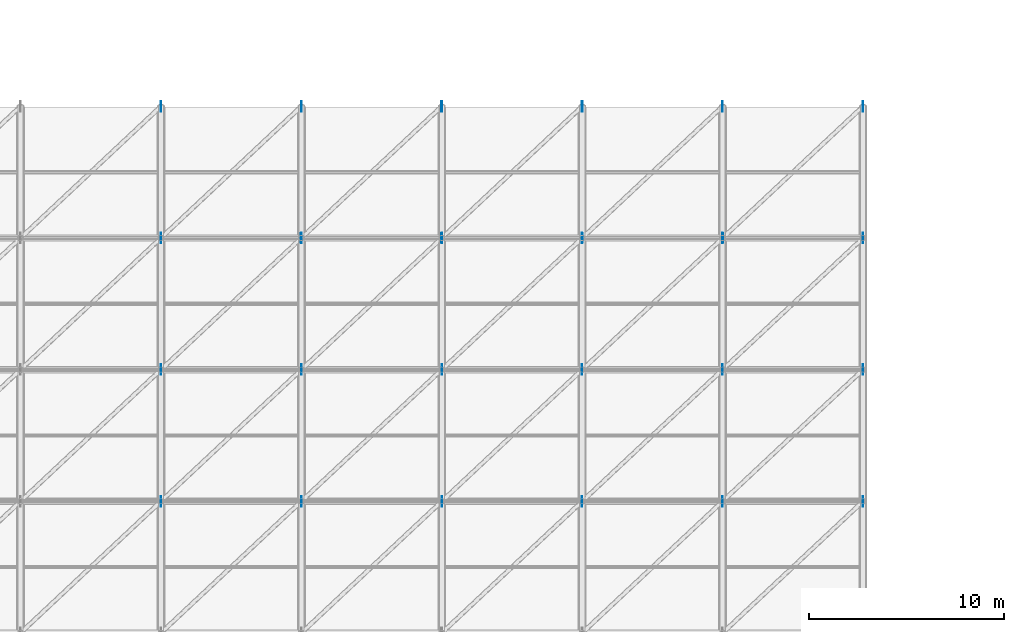
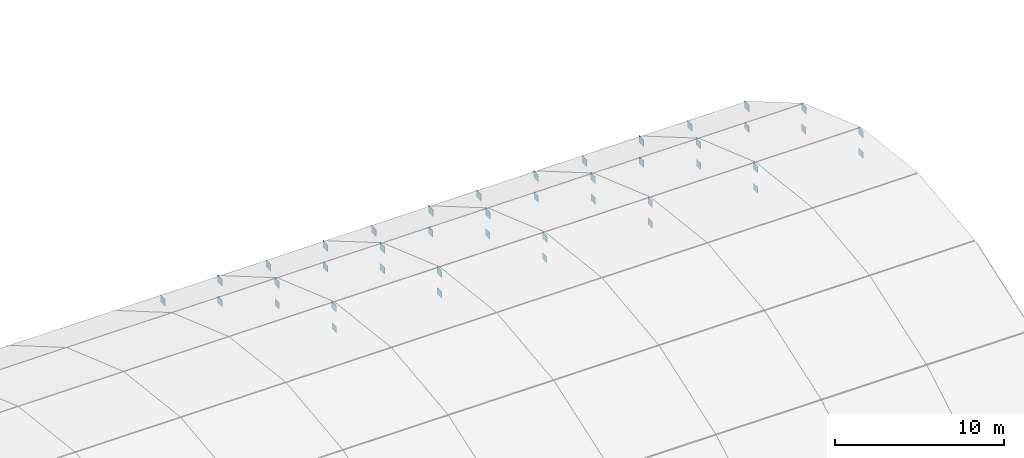
# One storey, part 63 of 72: 42 plates.
"""IFC4 building model written with IfcOpenShell, lengths in metres."""

from ifc_helpers import new_model, si_unit, direction, frame, origin, origin_2d, place, context, subcontext, project, spatial, rectangle, extrude, material, layer, layer_set, type_object, element, save


model = new_model("IFC4")

# Units and contexts
model_context = context("Model", 3, precision=1e-05, world=origin(), true_north=direction((0.0, 1.0)))
body_context = subcontext(model_context, "Body", "Model", "MODEL_VIEW")
ifc_project = project(units=[si_unit("LENGTHUNIT", "METRE"), si_unit("AREAUNIT", "SQUARE_METRE"), si_unit("VOLUMEUNIT", "CUBIC_METRE"), si_unit("PLANEANGLEUNIT", "RADIAN"), si_unit("MASSUNIT", "GRAM", prefix="KILO")], contexts=[model_context])

# Site, building, storey
site_placement = place(None, origin())
site = spatial("IfcSite", under=ifc_project, at=site_placement, CompositionType="ELEMENT")
building_placement = place(site_placement, origin())
building = spatial("IfcBuilding", under=site, at=building_placement, Name="Vaelcorin Mobility Hub", CompositionType="ELEMENT")
storey_placement = place(building_placement, frame((0.0, 0.0, 25.800048828125)))
storey = spatial("IfcBuildingStorey", under=building, at=storey_placement, Name="RF", CompositionType="ELEMENT", Elevation=25.800048828125)

# Plates
ifc_material = material(Name="Steel ASTM A572 Grade 50", Category="steel")
ifc_layer_1 = layer(ifc_material, 0.0400390625)
ifc_layer_set_1 = layer_set([ifc_layer_1], Name="Steel ASTM A572 Grade 50")
plate_type_1 = type_object("IfcPlateType", Name="PL-SN1", PredefinedType="USERDEFINED", material=ifc_layer_set_1)
for number, where, z_axis, x_axis, name in (
    (1, (72.0, 53.25, -16.01806640625), (0.0, 0.0, 1.0), (1.0, 0.0, 0.0), "Space-Frame Lower Node Gusset 6-7"),
    (2, (79.199951171875, 53.25, -16.01806640625), (0.0, 0.0, 1.0), (1.0, 0.0, 0.0), "Space-Frame Lower Node Gusset 7-7"),
    (3, (86.39990234375, 53.25, -16.01806640625), (0.0, 0.0, 1.0), (1.0, 0.0, 0.0), "Space-Frame Lower Node Gusset 8-7"),
    (4, (93.60009765625, 53.25, -16.01806640625), (0.0, 0.0, 1.0), (1.0, 0.0, 0.0), "Space-Frame Lower Node Gusset 9-7"),
    (5, (100.800048828125, 53.25, -16.01806640625), (0.0, 0.0, 1.0), (1.0, 0.0, 0.0), "Space-Frame Lower Node Gusset 10-7"),
    (6, (108.0, 53.25, -16.01806640625), (0.0, 0.0, 1.0), (1.0, 0.0, 0.0), "Space-Frame Lower Node Gusset 11-7"),
):
    element("IfcPlate", number, at=place(storey_placement, frame(where, z_axis=z_axis, x_axis=x_axis)), inside=storey, type_object=plate_type_1, Name=name, ObjectType="GUSSET PLATE", PredefinedType="USERDEFINED", context=body_context, shape_type="SweptSolid", body=[
        extrude(rectangle(XDim=0.0400390625, YDim=0.5, at=origin_2d()), origin(), (0.0, 0.0, 1.0), 0.4599609375),
    ])
ifc_layer_2 = layer(ifc_material, 0.035888671875)
ifc_layer_set_2 = layer_set([ifc_layer_2], Name="Steel ASTM A572 Grade 50")
plate_type_2 = type_object("IfcPlateType", Name="PL-SN2", PredefinedType="USERDEFINED", material=ifc_layer_set_2)
for number, where, z_axis, x_axis, name in (
    (7, (72.0, 60.0, -20.050048828125), (0.0, 0.0, 1.0), (1.0, 0.0, 0.0), "Space-Frame Node Gusset SN2 6-8"),
    (8, (79.199951171875, 60.0, -20.050048828125), (0.0, 0.0, 1.0), (1.0, 0.0, 0.0), "Space-Frame Node Gusset SN2 7-8"),
    (9, (86.39990234375, 60.0, -20.050048828125), (0.0, 0.0, 1.0), (1.0, 0.0, 0.0), "Space-Frame Node Gusset SN2 8-8"),
    (10, (93.60009765625, 60.0, -20.050048828125), (0.0, 0.0, 1.0), (1.0, 0.0, 0.0), "Space-Frame Node Gusset SN2 9-8"),
    (11, (100.800048828125, 60.0, -20.050048828125), (0.0, 0.0, 1.0), (1.0, 0.0, 0.0), "Space-Frame Node Gusset SN2 10-8"),
    (12, (108.0, 60.0, -20.050048828125), (0.0, 0.0, 1.0), (1.0, 0.0, 0.0), "Space-Frame Node Gusset SN2 11-8"),
):
    element("IfcPlate", number, at=place(storey_placement, frame(where, z_axis=z_axis, x_axis=x_axis)), inside=storey, type_object=plate_type_2, Name=name, ObjectType="GUSSET PLATE", PredefinedType="USERDEFINED", context=body_context, shape_type="SweptSolid", body=[
        extrude(rectangle(XDim=0.035888671875, YDim=0.5400390625, at=origin_2d()), origin(), (0.0, 0.0, 1.0), 0.5),
    ])
ifc_layer_3 = layer(ifc_material, 0.028076171875)
ifc_layer_set_3 = layer_set([ifc_layer_3], Name="Steel ASTM A572 Grade 50")
plate_type_3 = type_object("IfcPlateType", Name="PL-SN4", PredefinedType="USERDEFINED", material=ifc_layer_set_3)
plate_1_placement = place(storey_placement, frame((72.0, 39.75, -8.238037109375), z_axis=(0.0, 0.0, 1.0), x_axis=(1.0, 0.0, 0.0)))
element("IfcPlate", 13, at=plate_1_placement, inside=storey, type_object=plate_type_3, Name="Space-Frame Node Gusset SN4 6-5", ObjectType="GUSSET PLATE", PredefinedType="USERDEFINED", context=body_context, shape_type="SweptSolid", body=[
    extrude(rectangle(XDim=0.028076171875, YDim=0.5400390625, at=origin_2d()), origin(), (0.0, 0.0, 1.0), 0.5),
])
plate_2_placement = place(storey_placement, frame((72.0, 39.75, -9.718017578125), z_axis=(0.0, 0.0, 1.0), x_axis=(1.0, 0.0, 0.0)))
element("IfcPlate", 14, at=plate_2_placement, inside=storey, type_object=plate_type_3, Name="Space-Frame Lower Node Gusset 6-5", ObjectType="GUSSET PLATE", PredefinedType="USERDEFINED", context=body_context, shape_type="SweptSolid", body=[
    extrude(rectangle(XDim=0.028076171875, YDim=0.5, at=origin_2d()), origin(), (0.0, 0.0, 1.0), 0.4599609375),
])
plate_3_placement = place(storey_placement, frame((72.0, 46.5, -10.60009765625), z_axis=(0.0, 0.0, 1.0), x_axis=(1.0, 0.0, 0.0)))
element("IfcPlate", 15, at=plate_3_placement, inside=storey, type_object=plate_type_3, Name="Space-Frame Node Gusset SN4 6-6", ObjectType="GUSSET PLATE", PredefinedType="USERDEFINED", context=body_context, shape_type="SweptSolid", body=[
    extrude(rectangle(XDim=0.028076171875, YDim=0.5400390625, at=origin_2d()), origin(), (0.0, 0.0, 1.0), 0.5),
])
plate_4_placement = place(storey_placement, frame((72.0, 46.5, -12.080078125), z_axis=(0.0, 0.0, 1.0), x_axis=(1.0, 0.0, 0.0)))
element("IfcPlate", 16, at=plate_4_placement, inside=storey, type_object=plate_type_3, Name="Space-Frame Lower Node Gusset 6-6", ObjectType="GUSSET PLATE", PredefinedType="USERDEFINED", context=body_context, shape_type="SweptSolid", body=[
    extrude(rectangle(XDim=0.028076171875, YDim=0.5, at=origin_2d()), origin(), (0.0, 0.0, 1.0), 0.4599609375),
])
for number, where, z_axis, x_axis, name in (
    (17, (72.0, 53.25, -14.5380859375), (0.0, 0.0, 1.0), (1.0, 0.0, 0.0), "Space-Frame Node Gusset SN4 6-7"),
    (18, (79.199951171875, 39.75, -8.238037109375), (0.0, 0.0, 1.0), (1.0, 0.0, 0.0), "Space-Frame Node Gusset SN4 7-5"),
):
    element("IfcPlate", number, at=place(storey_placement, frame(where, z_axis=z_axis, x_axis=x_axis)), inside=storey, type_object=plate_type_3, Name=name, ObjectType="GUSSET PLATE", PredefinedType="USERDEFINED", context=body_context, shape_type="SweptSolid", body=[
        extrude(rectangle(XDim=0.028076171875, YDim=0.5400390625, at=origin_2d()), origin(), (0.0, 0.0, 1.0), 0.5),
    ])
plate_5_placement = place(storey_placement, frame((79.199951171875, 39.75, -9.718017578125), z_axis=(0.0, 0.0, 1.0), x_axis=(1.0, 0.0, 0.0)))
element("IfcPlate", 19, at=plate_5_placement, inside=storey, type_object=plate_type_3, Name="Space-Frame Lower Node Gusset 7-5", ObjectType="GUSSET PLATE", PredefinedType="USERDEFINED", context=body_context, shape_type="SweptSolid", body=[
    extrude(rectangle(XDim=0.028076171875, YDim=0.5, at=origin_2d()), origin(), (0.0, 0.0, 1.0), 0.4599609375),
])
plate_6_placement = place(storey_placement, frame((79.199951171875, 46.5, -10.60009765625), z_axis=(0.0, 0.0, 1.0), x_axis=(1.0, 0.0, 0.0)))
element("IfcPlate", 20, at=plate_6_placement, inside=storey, type_object=plate_type_3, Name="Space-Frame Node Gusset SN4 7-6", ObjectType="GUSSET PLATE", PredefinedType="USERDEFINED", context=body_context, shape_type="SweptSolid", body=[
    extrude(rectangle(XDim=0.028076171875, YDim=0.5400390625, at=origin_2d()), origin(), (0.0, 0.0, 1.0), 0.5),
])
plate_7_placement = place(storey_placement, frame((79.199951171875, 46.5, -12.080078125), z_axis=(0.0, 0.0, 1.0), x_axis=(1.0, 0.0, 0.0)))
element("IfcPlate", 21, at=plate_7_placement, inside=storey, type_object=plate_type_3, Name="Space-Frame Lower Node Gusset 7-6", ObjectType="GUSSET PLATE", PredefinedType="USERDEFINED", context=body_context, shape_type="SweptSolid", body=[
    extrude(rectangle(XDim=0.028076171875, YDim=0.5, at=origin_2d()), origin(), (0.0, 0.0, 1.0), 0.4599609375),
])
for number, where, z_axis, x_axis, name in (
    (22, (79.199951171875, 53.25, -14.5380859375), (0.0, 0.0, 1.0), (1.0, 0.0, 0.0), "Space-Frame Node Gusset SN4 7-7"),
    (23, (86.39990234375, 39.75, -8.238037109375), (0.0, 0.0, 1.0), (1.0, 0.0, 0.0), "Space-Frame Node Gusset SN4 8-5"),
):
    element("IfcPlate", number, at=place(storey_placement, frame(where, z_axis=z_axis, x_axis=x_axis)), inside=storey, type_object=plate_type_3, Name=name, ObjectType="GUSSET PLATE", PredefinedType="USERDEFINED", context=body_context, shape_type="SweptSolid", body=[
        extrude(rectangle(XDim=0.028076171875, YDim=0.5400390625, at=origin_2d()), origin(), (0.0, 0.0, 1.0), 0.5),
    ])
plate_8_placement = place(storey_placement, frame((86.39990234375, 39.75, -9.718017578125), z_axis=(0.0, 0.0, 1.0), x_axis=(1.0, 0.0, 0.0)))
element("IfcPlate", 24, at=plate_8_placement, inside=storey, type_object=plate_type_3, Name="Space-Frame Lower Node Gusset 8-5", ObjectType="GUSSET PLATE", PredefinedType="USERDEFINED", context=body_context, shape_type="SweptSolid", body=[
    extrude(rectangle(XDim=0.028076171875, YDim=0.5, at=origin_2d()), origin(), (0.0, 0.0, 1.0), 0.4599609375),
])
plate_9_placement = place(storey_placement, frame((86.39990234375, 46.5, -10.60009765625), z_axis=(0.0, 0.0, 1.0), x_axis=(1.0, 0.0, 0.0)))
element("IfcPlate", 25, at=plate_9_placement, inside=storey, type_object=plate_type_3, Name="Space-Frame Node Gusset SN4 8-6", ObjectType="GUSSET PLATE", PredefinedType="USERDEFINED", context=body_context, shape_type="SweptSolid", body=[
    extrude(rectangle(XDim=0.028076171875, YDim=0.5400390625, at=origin_2d()), origin(), (0.0, 0.0, 1.0), 0.5),
])
plate_10_placement = place(storey_placement, frame((86.39990234375, 46.5, -12.080078125), z_axis=(0.0, 0.0, 1.0), x_axis=(1.0, 0.0, 0.0)))
element("IfcPlate", 26, at=plate_10_placement, inside=storey, type_object=plate_type_3, Name="Space-Frame Lower Node Gusset 8-6", ObjectType="GUSSET PLATE", PredefinedType="USERDEFINED", context=body_context, shape_type="SweptSolid", body=[
    extrude(rectangle(XDim=0.028076171875, YDim=0.5, at=origin_2d()), origin(), (0.0, 0.0, 1.0), 0.4599609375),
])
for number, where, z_axis, x_axis, name in (
    (27, (86.39990234375, 53.25, -14.5380859375), (0.0, 0.0, 1.0), (1.0, 0.0, 0.0), "Space-Frame Node Gusset SN4 8-7"),
    (28, (93.60009765625, 39.75, -8.238037109375), (0.0, 0.0, 1.0), (1.0, 0.0, 0.0), "Space-Frame Node Gusset SN4 9-5"),
):
    element("IfcPlate", number, at=place(storey_placement, frame(where, z_axis=z_axis, x_axis=x_axis)), inside=storey, type_object=plate_type_3, Name=name, ObjectType="GUSSET PLATE", PredefinedType="USERDEFINED", context=body_context, shape_type="SweptSolid", body=[
        extrude(rectangle(XDim=0.028076171875, YDim=0.5400390625, at=origin_2d()), origin(), (0.0, 0.0, 1.0), 0.5),
    ])
plate_11_placement = place(storey_placement, frame((93.60009765625, 39.75, -9.718017578125), z_axis=(0.0, 0.0, 1.0), x_axis=(1.0, 0.0, 0.0)))
element("IfcPlate", 29, at=plate_11_placement, inside=storey, type_object=plate_type_3, Name="Space-Frame Lower Node Gusset 9-5", ObjectType="GUSSET PLATE", PredefinedType="USERDEFINED", context=body_context, shape_type="SweptSolid", body=[
    extrude(rectangle(XDim=0.028076171875, YDim=0.5, at=origin_2d()), origin(), (0.0, 0.0, 1.0), 0.4599609375),
])
plate_12_placement = place(storey_placement, frame((93.60009765625, 46.5, -10.60009765625), z_axis=(0.0, 0.0, 1.0), x_axis=(1.0, 0.0, 0.0)))
element("IfcPlate", 30, at=plate_12_placement, inside=storey, type_object=plate_type_3, Name="Space-Frame Node Gusset SN4 9-6", ObjectType="GUSSET PLATE", PredefinedType="USERDEFINED", context=body_context, shape_type="SweptSolid", body=[
    extrude(rectangle(XDim=0.028076171875, YDim=0.5400390625, at=origin_2d()), origin(), (0.0, 0.0, 1.0), 0.5),
])
plate_13_placement = place(storey_placement, frame((93.60009765625, 46.5, -12.080078125), z_axis=(0.0, 0.0, 1.0), x_axis=(1.0, 0.0, 0.0)))
element("IfcPlate", 31, at=plate_13_placement, inside=storey, type_object=plate_type_3, Name="Space-Frame Lower Node Gusset 9-6", ObjectType="GUSSET PLATE", PredefinedType="USERDEFINED", context=body_context, shape_type="SweptSolid", body=[
    extrude(rectangle(XDim=0.028076171875, YDim=0.5, at=origin_2d()), origin(), (0.0, 0.0, 1.0), 0.4599609375),
])
for number, where, z_axis, x_axis, name in (
    (32, (93.60009765625, 53.25, -14.5380859375), (0.0, 0.0, 1.0), (1.0, 0.0, 0.0), "Space-Frame Node Gusset SN4 9-7"),
    (33, (100.800048828125, 39.75, -8.238037109375), (0.0, 0.0, 1.0), (1.0, 0.0, 0.0), "Space-Frame Node Gusset SN4 10-5"),
):
    element("IfcPlate", number, at=place(storey_placement, frame(where, z_axis=z_axis, x_axis=x_axis)), inside=storey, type_object=plate_type_3, Name=name, ObjectType="GUSSET PLATE", PredefinedType="USERDEFINED", context=body_context, shape_type="SweptSolid", body=[
        extrude(rectangle(XDim=0.028076171875, YDim=0.5400390625, at=origin_2d()), origin(), (0.0, 0.0, 1.0), 0.5),
    ])
plate_14_placement = place(storey_placement, frame((100.800048828125, 39.75, -9.718017578125), z_axis=(0.0, 0.0, 1.0), x_axis=(1.0, 0.0, 0.0)))
element("IfcPlate", 34, at=plate_14_placement, inside=storey, type_object=plate_type_3, Name="Space-Frame Lower Node Gusset 10-5", ObjectType="GUSSET PLATE", PredefinedType="USERDEFINED", context=body_context, shape_type="SweptSolid", body=[
    extrude(rectangle(XDim=0.028076171875, YDim=0.5, at=origin_2d()), origin(), (0.0, 0.0, 1.0), 0.4599609375),
])
plate_15_placement = place(storey_placement, frame((100.800048828125, 46.5, -10.60009765625), z_axis=(0.0, 0.0, 1.0), x_axis=(1.0, 0.0, 0.0)))
element("IfcPlate", 35, at=plate_15_placement, inside=storey, type_object=plate_type_3, Name="Space-Frame Node Gusset SN4 10-6", ObjectType="GUSSET PLATE", PredefinedType="USERDEFINED", context=body_context, shape_type="SweptSolid", body=[
    extrude(rectangle(XDim=0.028076171875, YDim=0.5400390625, at=origin_2d()), origin(), (0.0, 0.0, 1.0), 0.5),
])
plate_16_placement = place(storey_placement, frame((100.800048828125, 46.5, -12.080078125), z_axis=(0.0, 0.0, 1.0), x_axis=(1.0, 0.0, 0.0)))
element("IfcPlate", 36, at=plate_16_placement, inside=storey, type_object=plate_type_3, Name="Space-Frame Lower Node Gusset 10-6", ObjectType="GUSSET PLATE", PredefinedType="USERDEFINED", context=body_context, shape_type="SweptSolid", body=[
    extrude(rectangle(XDim=0.028076171875, YDim=0.5, at=origin_2d()), origin(), (0.0, 0.0, 1.0), 0.4599609375),
])
for number, where, z_axis, x_axis, name in (
    (37, (100.800048828125, 53.25, -14.5380859375), (0.0, 0.0, 1.0), (1.0, 0.0, 0.0), "Space-Frame Node Gusset SN4 10-7"),
    (38, (108.0, 39.75, -8.238037109375), (0.0, 0.0, 1.0), (1.0, 0.0, 0.0), "Space-Frame Node Gusset SN4 11-5"),
):
    element("IfcPlate", number, at=place(storey_placement, frame(where, z_axis=z_axis, x_axis=x_axis)), inside=storey, type_object=plate_type_3, Name=name, ObjectType="GUSSET PLATE", PredefinedType="USERDEFINED", context=body_context, shape_type="SweptSolid", body=[
        extrude(rectangle(XDim=0.028076171875, YDim=0.5400390625, at=origin_2d()), origin(), (0.0, 0.0, 1.0), 0.5),
    ])
plate_17_placement = place(storey_placement, frame((108.0, 39.75, -9.718017578125), z_axis=(0.0, 0.0, 1.0), x_axis=(1.0, 0.0, 0.0)))
element("IfcPlate", 39, at=plate_17_placement, inside=storey, type_object=plate_type_3, Name="Space-Frame Lower Node Gusset 11-5", ObjectType="GUSSET PLATE", PredefinedType="USERDEFINED", context=body_context, shape_type="SweptSolid", body=[
    extrude(rectangle(XDim=0.028076171875, YDim=0.5, at=origin_2d()), origin(), (0.0, 0.0, 1.0), 0.4599609375),
])
plate_18_placement = place(storey_placement, frame((108.0, 46.5, -10.60009765625), z_axis=(0.0, 0.0, 1.0), x_axis=(1.0, 0.0, 0.0)))
element("IfcPlate", 40, at=plate_18_placement, inside=storey, type_object=plate_type_3, Name="Space-Frame Node Gusset SN4 11-6", ObjectType="GUSSET PLATE", PredefinedType="USERDEFINED", context=body_context, shape_type="SweptSolid", body=[
    extrude(rectangle(XDim=0.028076171875, YDim=0.5400390625, at=origin_2d()), origin(), (0.0, 0.0, 1.0), 0.5),
])
plate_19_placement = place(storey_placement, frame((108.0, 46.5, -12.080078125), z_axis=(0.0, 0.0, 1.0), x_axis=(1.0, 0.0, 0.0)))
element("IfcPlate", 41, at=plate_19_placement, inside=storey, type_object=plate_type_3, Name="Space-Frame Lower Node Gusset 11-6", ObjectType="GUSSET PLATE", PredefinedType="USERDEFINED", context=body_context, shape_type="SweptSolid", body=[
    extrude(rectangle(XDim=0.028076171875, YDim=0.5, at=origin_2d()), origin(), (0.0, 0.0, 1.0), 0.4599609375),
])
plate_20_placement = place(storey_placement, frame((108.0, 53.25, -14.5380859375), z_axis=(0.0, 0.0, 1.0), x_axis=(1.0, 0.0, 0.0)))
element("IfcPlate", 42, at=plate_20_placement, inside=storey, type_object=plate_type_3, Name="Space-Frame Node Gusset SN4 11-7", ObjectType="GUSSET PLATE", PredefinedType="USERDEFINED", context=body_context, shape_type="SweptSolid", body=[
    extrude(rectangle(XDim=0.028076171875, YDim=0.5400390625, at=origin_2d()), origin(), (0.0, 0.0, 1.0), 0.5),
])

save(model, "model.ifc")
